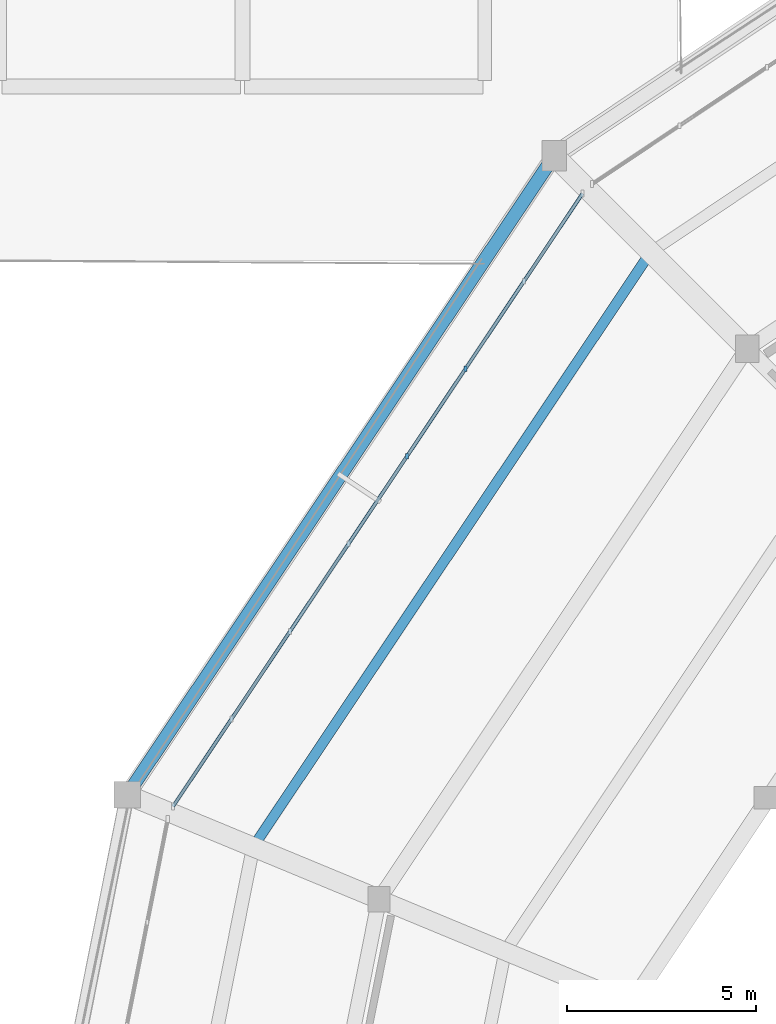
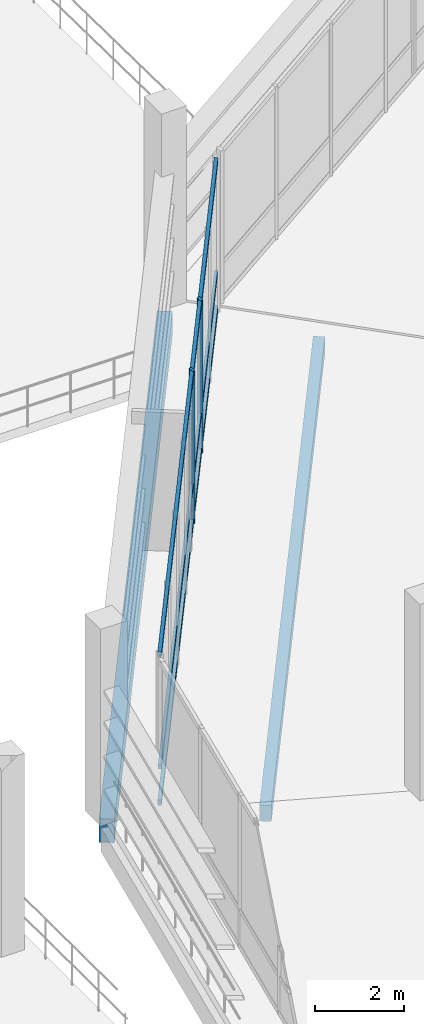
# One storey, part 29 of 111: 5 members, 2 beams, 1 element without a shape of its own.
"""IFC4 building model written with IfcOpenShell, lengths in metres."""

from ifc_helpers import new_model, si_unit, direction, frame, origin, origin_2d, place, context, subcontext, project, spatial, rectangle, extrude, material, material_profile, profile_set, type_object, element, aggregate, save


model = new_model("IFC4")

# Units and contexts
model_context = context("Model", 3, precision=1e-05, world=origin(), true_north=direction((0.0, 1.0)))
body_context = subcontext(model_context, "Body", "Model", "MODEL_VIEW")
ifc_project = project(units=[si_unit("LENGTHUNIT", "METRE"), si_unit("AREAUNIT", "SQUARE_METRE"), si_unit("VOLUMEUNIT", "CUBIC_METRE"), si_unit("PLANEANGLEUNIT", "RADIAN"), si_unit("MASSUNIT", "GRAM", prefix="KILO")], contexts=[model_context])

# Site, building, storey
site_placement = place(None, origin())
site = spatial("IfcSite", under=ifc_project, at=site_placement, CompositionType="ELEMENT")
building_placement = place(site_placement, origin())
building = spatial("IfcBuilding", under=site, at=building_placement, Name="Candeia Ridge Stadium", CompositionType="ELEMENT")
storey_placement = place(building_placement, frame((0.0, 0.0, 16.199951171875)))
storey = spatial("IfcBuildingStorey", under=building, at=storey_placement, Name="L03", CompositionType="ELEMENT", Elevation=16.199951171875)

# Curtain wall, members
ifc_material_1 = material(Name="Aluminium Anodized Warm Bronze", Category="aluminium")
curtain_wall_type = type_object("IfcCurtainWallType", Name="Concourse Recessed Unitised Curtain Wall", PredefinedType="NOTDEFINED", material=ifc_material_1)
curtain_wall_placement = place(storey_placement, origin())
curtain_wall = element("IfcCurtainWall", 1, at=curtain_wall_placement, inside=storey, type_object=curtain_wall_type, Name="Unitised curtain wall CW-BWL-L03-09", PredefinedType="NOTDEFINED")
ifc_material_profile_1 = material_profile(ifc_material_1, rectangle(XDim=0.074951171875, YDim=0.14990234375, at=origin_2d()), Name="CWM-75x150", Category="aluminium")
ifc_profile_set_1 = profile_set([ifc_material_profile_1], Name="Aluminium Anodized Warm Bronze")
member_type_1 = type_object("IfcMemberType", Name="Curtain Wall Secondary Mullion 75x150", PredefinedType="MULLION", material=ifc_profile_set_1)
member_1_placement = place(storey_placement, frame((31.889892578125, 126.148193359375, 0.0), z_axis=(0.0, 0.0, 1.0), x_axis=(1.0, 0.0, 0.0)))
member_1 = element("IfcMember", 2, at=member_1_placement, type_object=member_type_1, Name="Curtain wall mullion CW-BWL-L03-09-M2", PredefinedType="MULLION", context=body_context, shape_type="SweptSolid", body=[
    extrude(rectangle(XDim=0.074951171875, YDim=0.14990234375, at=origin_2d()), origin(), (0.0, 0.0, 1.0), 4.205078125),
])
member_2_placement = place(storey_placement, frame((30.34521484375, 123.83642578125, 0.0), z_axis=(0.0, 0.0, 1.0), x_axis=(1.0, 0.0, 0.0)))
member_2 = element("IfcMember", 3, at=member_2_placement, type_object=member_type_1, Name="Curtain wall mullion CW-BWL-L03-09-M3", PredefinedType="MULLION", context=body_context, shape_type="SweptSolid", body=[
    extrude(rectangle(XDim=0.074951171875, YDim=0.14990234375, at=origin_2d()), origin(), (0.0, 0.0, 1.0), 4.205078125),
])
ifc_material_profile_2 = material_profile(ifc_material_1, rectangle(XDim=0.074951171875, YDim=0.110107421875, at=origin_2d()), Name="CWT-75x110", Category="aluminium")
ifc_profile_set_2 = profile_set([ifc_material_profile_2], Name="Aluminium Anodized Warm Bronze")
member_type_2 = type_object("IfcMemberType", Name="Curtain Wall Secondary Transom 75x110", PredefinedType="USERDEFINED", material=ifc_profile_set_2)
member_3_placement = place(storey_placement, frame((34.97900390625, 130.771484375, 1.05126953125), z_axis=(-0.555568394863, -0.831470840517, 0.0), x_axis=(0.831470840517, -0.555568394863, 0.0)))
member_3 = element("IfcMember", 4, at=member_3_placement, type_object=member_type_2, Name="Curtain wall transom CW-BWL-L03-09-T1", ObjectType="TRANSOM", PredefinedType="USERDEFINED", context=body_context, shape_type="SweptSolid", body=[
    extrude(rectangle(XDim=0.074951171875, YDim=0.110107421875, at=origin_2d()), origin(), (0.0, 0.0, 1.0), 19.461181640625),
])
ifc_material_profile_3 = material_profile(ifc_material_1, rectangle(XDim=0.090087890625, YDim=0.139892578125, at=origin_2d()), Name="CWT-90x140", Category="aluminium")
ifc_profile_set_3 = profile_set([ifc_material_profile_3], Name="Aluminium Anodized Warm Bronze")
member_type_3 = type_object("IfcMemberType", Name="Curtain Wall Transom 90x140", PredefinedType="USERDEFINED", material=ifc_profile_set_3)
member_4_placement = place(storey_placement, frame((34.97900390625, 130.771484375, 0.070068359375), z_axis=(-0.555568394863, -0.831470840517, 0.0), x_axis=(0.831470840517, -0.555568394863, 0.0)))
member_4 = element("IfcMember", 5, at=member_4_placement, type_object=member_type_3, Name="Curtain wall transom CW-BWL-L03-09-T0", ObjectType="TRANSOM", PredefinedType="USERDEFINED", context=body_context, shape_type="SweptSolid", body=[
    extrude(rectangle(XDim=0.090087890625, YDim=0.139892578125, at=origin_2d()), origin(), (0.0, 0.0, 1.0), 19.461181640625),
])
member_5_placement = place(storey_placement, frame((34.97900390625, 130.771484375, 4.135009765625), z_axis=(-0.555568394863, -0.831470840517, 0.0), x_axis=(0.831470840517, -0.555568394863, 0.0)))
member_5 = element("IfcMember", 6, at=member_5_placement, type_object=member_type_3, Name="Curtain wall transom CW-BWL-L03-09-T2", ObjectType="TRANSOM", PredefinedType="USERDEFINED", context=body_context, shape_type="SweptSolid", body=[
    extrude(rectangle(XDim=0.090087890625, YDim=0.139892578125, at=origin_2d()), origin(), (0.0, 0.0, 1.0), 19.461181640625),
])
aggregate(curtain_wall, [member_1, member_2, member_4, member_3, member_5])

# Beams
ifc_material_2 = material(Name="Concrete C40/50", Category="concrete")
ifc_material_profile_4 = material_profile(ifc_material_2, rectangle(XDim=0.27001953125, YDim=0.43994140625, at=origin_2d()), Name="RC270x440", Category="concrete")
ifc_profile_set_4 = profile_set([ifc_material_profile_4], Name="Concrete C40/50")
beam_type_1 = type_object("IfcBeamType", Name="Floor Joist RC270x440", PredefinedType="JOIST", material=ifc_profile_set_4)
beam_1_placement = place(storey_placement, frame((36.652587890625, 129.039306640625, -0.469970703125), z_axis=(-0.555573683674, -0.831467306639, 0.0), x_axis=(0.831467306639, -0.555573683674, 0.0)))
element("IfcBeam", 7, at=beam_1_placement, inside=storey, type_object=beam_type_1, Name="Concourse secondary joist BM-L03-0597", PredefinedType="JOIST", context=body_context, shape_type="SweptSolid", body=[
    extrude(rectangle(XDim=0.27001953125, YDim=0.43994140625, at=origin_2d()), origin(), (0.0, 0.0, 1.0), 18.440673828125),
])
ifc_material_profile_5 = material_profile(ifc_material_2, rectangle(XDim=0.35009765625, YDim=0.64990234375, at=origin_2d()), Name="RC350x650", Category="concrete")
ifc_profile_set_5 = profile_set([ifc_material_profile_5], Name="Concrete C40/50")
beam_type_2 = type_object("IfcBeamType", Name="Spandrel Beam RC350x650", PredefinedType="SPANDREL", material=ifc_profile_set_5)
beam_2_placement = place(storey_placement, frame((34.1416015625, 131.636474609375, -0.574951171875), z_axis=(-0.555571676938, -0.831468647505, 0.0), x_axis=(0.831468647505, -0.555571676938, 0.0)))
element("IfcBeam", 8, at=beam_2_placement, inside=storey, type_object=beam_type_2, Name="Bowl perimeter spandrel BM-L03-0595", PredefinedType="SPANDREL", context=body_context, shape_type="SweptSolid", body=[
    extrude(rectangle(XDim=0.35009765625, YDim=0.64990234375, at=origin_2d()), origin(), (0.0, 0.0, 1.0), 19.969482421875),
])

save(model, "model.ifc")
